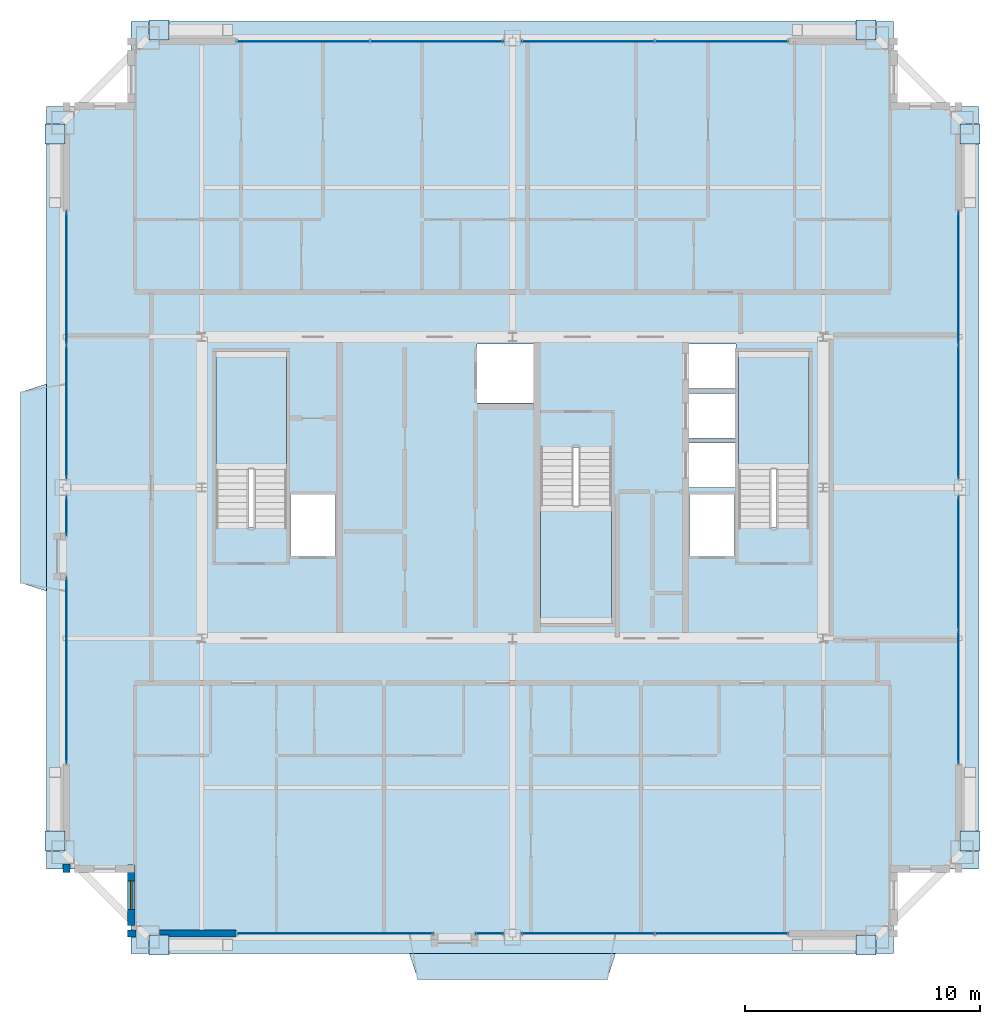
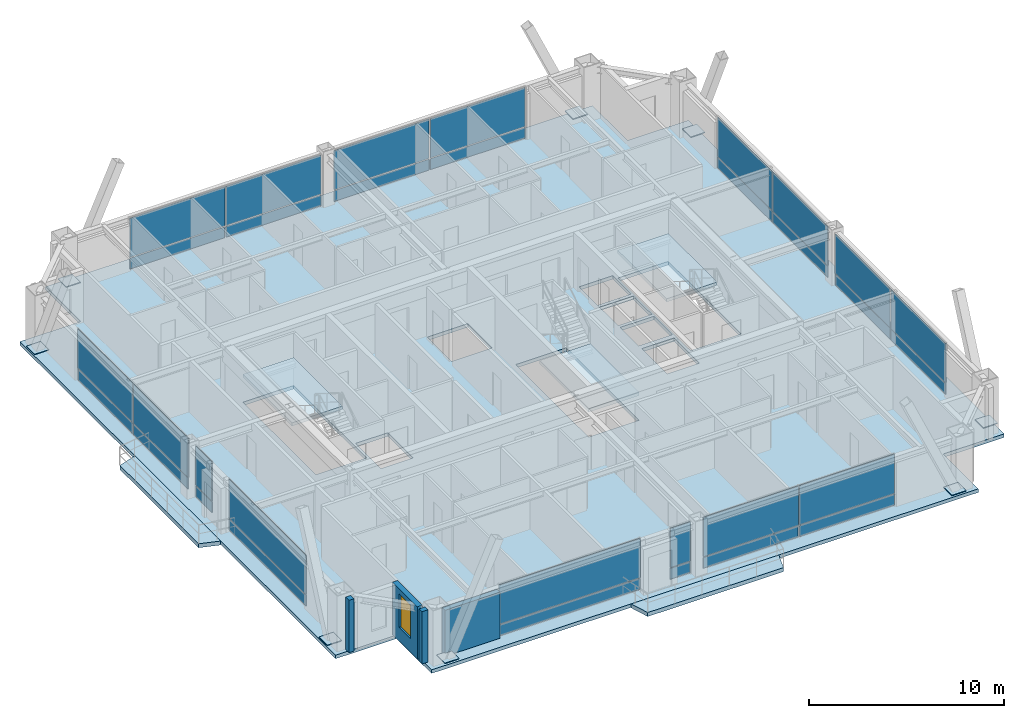
# One storey, part 27 of 33: 40 plates, 6 slabs, 4 walls, 1 window, 1 opening, 13 elements without a shape of their own.
"""IFC4 building model written with IfcOpenShell, lengths in metres."""

from ifc_helpers import new_model, si_unit, direction, frame, frame_2d, origin, origin_2d, place, context, subcontext, project, spatial, polyline, rectangle, outline, extrude, source, transform, mapped, material, layer, layer_set, type_object, element, fill, aggregate, save


model = new_model("IFC4")

# Units and contexts
model_context = context("Model", 3, precision=1e-05, world=origin(), true_north=direction((0.0, 1.0)))
body_context = subcontext(model_context, "Body", "Model", "MODEL_VIEW")
ifc_project = project(units=[si_unit("LENGTHUNIT", "METRE"), si_unit("AREAUNIT", "SQUARE_METRE"), si_unit("VOLUMEUNIT", "CUBIC_METRE"), si_unit("PLANEANGLEUNIT", "RADIAN"), si_unit("MASSUNIT", "GRAM", prefix="KILO"), si_unit("THERMODYNAMICTEMPERATUREUNIT", "KELVIN"), si_unit("POWERUNIT", "WATT")], contexts=[model_context])

# Site, building, storey
site_placement = place(None, origin())
site = spatial("IfcSite", under=ifc_project, at=site_placement, CompositionType="ELEMENT")
building_placement = place(site_placement, origin())
building = spatial("IfcBuilding", under=site, at=building_placement, Name="Yuzanri Waterfront Tower", CompositionType="ELEMENT")
storey_placement = place(building_placement, frame((0.0, 0.0, 292.60009765625)))
storey = spatial("IfcBuildingStorey", under=building, at=storey_placement, Name="L78", CompositionType="ELEMENT", Elevation=292.60009765625)

# Stair, slab
ifc_material_1 = material(Name="Concrete C40", Category="concrete")
stair_type = type_object("IfcStairType", Name="Concrete C40 Core Dogleg Exit Stair", PredefinedType="HALF_TURN_STAIR", material=ifc_material_1)
stair_1_placement = place(storey_placement, origin())
stair_1 = element("IfcStair", 1, at=stair_1_placement, inside=storey, type_object=stair_type, Name="L78 Smoke-Proof Core Stair ST-01", PredefinedType="HALF_TURN_STAIR")
ifc_material_2 = material(Name="Concrete C40", Category="concrete")
ifc_layer_1 = layer(ifc_material_2, 0.179931640625)
ifc_layer_set_1 = layer_set([ifc_layer_1], Name="Concrete C40")
slab_type_1 = type_object("IfcSlabType", Name="Concrete C40 Stair Half-Landing Slab 180", PredefinedType="LANDING", material=ifc_layer_set_1)
slab_1_placement = place(storey_placement, frame((0.0, 0.0, 1.5498046875)))
slab_1 = element("IfcSlab", 2, at=slab_1_placement, type_object=slab_type_1, Name="ST-01 landing 1", PredefinedType="LANDING", context=body_context, shape_type="SweptSolid", body=[
    extrude(outline(polyline([(27.39990234375, 26.56005859375), (27.39990234375, 31.580078125), (24.39990234375, 31.580078125), (24.39990234375, 26.56005859375), (27.39990234375, 26.56005859375)])), origin(), (0.0, 0.0, 1.0), 0.2001953125),
])
aggregate(stair_1, [slab_1])

stair_2_placement = place(storey_placement, origin())
stair_2 = element("IfcStair", 3, at=stair_2_placement, inside=storey, type_object=stair_type, Name="L78 Smoke-Proof Core Stair ST-02", PredefinedType="HALF_TURN_STAIR")
slab_2_placement = place(storey_placement, frame((0.0, 0.0, 1.5498046875)))
slab_2 = element("IfcSlab", 4, at=slab_2_placement, type_object=slab_type_1, Name="ST-02 landing 1", PredefinedType="LANDING", context=body_context, shape_type="SweptSolid", body=[
    extrude(outline(polyline([(49.60009765625, 26.56005859375), (49.60009765625, 31.580078125), (46.60009765625, 31.580078125), (46.60009765625, 26.56005859375), (49.60009765625, 26.56005859375)])), origin(), (0.0, 0.0, 1.0), 0.2001953125),
])
aggregate(stair_2, [slab_2])

stair_3_placement = place(storey_placement, origin())
stair_3 = element("IfcStair", 5, at=stair_3_placement, inside=storey, type_object=stair_type, Name="L78 Smoke-Proof Core Stair ST-03", PredefinedType="HALF_TURN_STAIR")
slab_3_placement = place(storey_placement, frame((0.0, 0.0, 1.5498046875)))
slab_3 = element("IfcSlab", 6, at=slab_3_placement, type_object=slab_type_1, Name="ST-03 landing 1", PredefinedType="LANDING", context=body_context, shape_type="SweptSolid", body=[
    extrude(outline(polyline([(38.199951171875, 25.0400390625), (38.199951171875, 20.02001953125), (41.199951171875, 20.02001953125), (41.199951171875, 25.0400390625), (38.199951171875, 25.0400390625)])), origin(), (0.0, 0.0, 1.0), 0.2001953125),
])
aggregate(stair_3, [slab_3])

# Slabs
ifc_material_3 = material(Name="Concrete C40", Category="concrete")
ifc_layer_2 = layer(ifc_material_3, 0.25)
ifc_layer_set_2 = layer_set([ifc_layer_2], Name="Concrete C40")
slab_type_2 = type_object("IfcSlabType", Name="Concrete C40 Stepped Gorge Pocket Garden Terrace Slab 250", PredefinedType="FLOOR", material=ifc_layer_set_2)
slab_4_placement = place(storey_placement, frame((0.0, 0.0, -0.25)))
element("IfcSlab", 7, at=slab_4_placement, inside=storey, type_object=slab_type_2, Name="L78 S Cantilevered Engawa Terrace Slab", PredefinedType="FLOOR", context=body_context, shape_type="SweptSolid", body=[
    extrude(outline(polyline([(32.62451171875, 6.0), (41.37548828125, 6.0), (41.025390625, 4.89892578125), (32.974609375, 4.89892578125), (32.62451171875, 6.0)])), origin(), (0.0, 0.0, 1.0), 0.25),
])
slab_5_placement = place(storey_placement, frame((0.0, 0.0, -0.25)))
element("IfcSlab", 8, at=slab_5_placement, inside=storey, type_object=slab_type_2, Name="L78 W Cantilevered Engawa Terrace Slab", PredefinedType="FLOOR", context=body_context, shape_type="SweptSolid", body=[
    extrude(outline(polyline([(17.199951171875, 21.39990234375), (16.09912109375, 21.75), (16.09912109375, 29.85009765625), (17.199951171875, 30.199951171875), (17.199951171875, 21.39990234375)])), origin(), (0.0, 0.0, 1.0), 0.25),
])
ifc_material_4 = material(Name="Concrete C40", Category="concrete")
ifc_layer_3 = layer(ifc_material_4, 0.219970703125)
ifc_layer_set_3 = layer_set([ifc_layer_3], Name="Concrete C40")
slab_type_3 = type_object("IfcSlabType", Name="Concrete C40 Tower Typical Structural Floor Slab 220", PredefinedType="FLOOR", material=ifc_layer_set_3)
slab_6_placement = place(storey_placement, frame((0.0, 0.0, -0.22021484375)))
element("IfcSlab", 9, at=slab_6_placement, inside=storey, type_object=slab_type_3, Name="L78 Main Structural Floor Slab", PredefinedType="FLOOR", context=body_context, shape_type="SweptSolid", body=[
    extrude(outline(polyline([(20.800048828125, 6.0), (53.199951171875, 6.0), (53.199951171875, 9.60009765625), (56.800048828125, 9.60009765625), (56.800048828125, 42.0), (53.199951171875, 42.0), (53.199951171875, 45.60009765625), (20.800048828125, 45.60009765625), (20.800048828125, 42.0), (17.199951171875, 42.0), (17.199951171875, 9.60009765625), (20.800048828125, 9.60009765625), (20.800048828125, 6.0)]), holes=[polyline([(27.39990234375, 24.10009765625), (27.39990234375, 31.580078125), (24.39990234375, 31.580078125), (24.39990234375, 24.10009765625), (27.39990234375, 24.10009765625)]), polyline([(49.60009765625, 24.10009765625), (49.60009765625, 31.580078125), (46.60009765625, 31.580078125), (46.60009765625, 24.10009765625), (49.60009765625, 24.10009765625)]), polyline([(38.199951171875, 27.5), (38.199951171875, 20.02001953125), (41.199951171875, 20.02001953125), (41.199951171875, 27.5), (38.199951171875, 27.5)]), polyline([(27.56005859375, 22.89990234375), (29.47998046875, 22.89990234375), (29.47998046875, 25.5), (27.56005859375, 25.5), (27.56005859375, 22.89990234375)]), polyline([(44.52001953125, 22.89990234375), (46.43994140625, 22.89990234375), (46.43994140625, 25.5), (44.52001953125, 25.5), (44.52001953125, 22.89990234375)]), polyline([(35.5, 29.39990234375), (37.89990234375, 29.39990234375), (37.89990234375, 31.89990234375), (35.5, 31.89990234375), (35.5, 29.39990234375)]), polyline([(44.5, 25.800048828125), (46.5, 25.800048828125), (46.5, 27.699951171875), (44.5, 27.699951171875), (44.5, 25.800048828125)]), polyline([(44.5, 27.89990234375), (46.5, 27.89990234375), (46.5, 29.800048828125), (44.5, 29.800048828125), (44.5, 27.89990234375)]), polyline([(44.5, 30.0), (46.5, 30.0), (46.5, 31.89990234375), (44.5, 31.89990234375), (44.5, 30.0)])]), origin(), (0.0, 0.0, 1.0), 0.22021484375),
])

# Plates
ifc_material_5 = material(Name="Steel Q420GJC", Category="steel")
ifc_layer_4 = layer(ifc_material_5, 0.0400390625)
ifc_layer_set_4 = layer_set([ifc_layer_4], Name="Steel Q420GJC")
plate_type_1 = type_object("IfcPlateType", Name="Steel Q420GJC Mega-Brace Gusset and End-Cap Plate 40", PredefinedType="SHEET", material=ifc_layer_set_4)
shared_shape_1 = source(origin(), body_context, "Body", "SweptSolid", [
    extrude(rectangle(XDim=0.85009765625, YDim=0.85009765625, at=origin_2d()), origin(), (0.0, 0.0, 1.0), 0.0400390625),
])
for number, where, z_axis, x_axis, name in (
    (10, (21.97998046875, 6.360107421875, 0.159912109375), (0.0, 0.0, 1.0), (1.0, 0.0, 0.0), "L78 Mega-Brace Foot Cap Plate S-L"),
    (11, (52.02001953125, 6.360107421875, 0.159912109375), (0.0, 0.0, 1.0), (1.0, 0.0, 0.0), "L78 Mega-Brace Foot Cap Plate S-R"),
    (12, (21.97998046875, 45.239990234375, 0.159912109375), (0.0, 0.0, 1.0), (1.0, 0.0, 0.0), "L78 Mega-Brace Foot Cap Plate N-L"),
    (13, (52.02001953125, 45.239990234375, 0.159912109375), (0.0, 0.0, 1.0), (1.0, 0.0, 0.0), "L78 Mega-Brace Foot Cap Plate N-R"),
    (14, (17.56005859375, 10.780029296875, 0.159912109375), (0.0, 0.0, 1.0), (1.0, 0.0, 0.0), "L78 Mega-Brace Foot Cap Plate W-L"),
    (15, (17.56005859375, 40.820068359375, 0.159912109375), (0.0, 0.0, 1.0), (1.0, 0.0, 0.0), "L78 Mega-Brace Foot Cap Plate W-R"),
    (16, (56.43994140625, 10.780029296875, 0.159912109375), (0.0, 0.0, 1.0), (1.0, 0.0, 0.0), "L78 Mega-Brace Foot Cap Plate E-L"),
    (17, (56.43994140625, 40.820068359375, 0.159912109375), (0.0, 0.0, 1.0), (1.0, 0.0, 0.0), "L78 Mega-Brace Foot Cap Plate E-R"),
):
    element("IfcPlate", number, at=place(storey_placement, frame(where, z_axis=z_axis, x_axis=x_axis)), inside=storey, type_object=plate_type_1, Name=name, PredefinedType="SHEET", context=body_context, shape_type="MappedRepresentation", body=[
        mapped(shared_shape_1, transform((0.0, 0.0, 0.0), scale=1.0)),
    ])

# Curtain wall, plates
ifc_material_6 = material(Name="Anodized Architectural Bronze", Category="metal")
ifc_layer_5 = layer(ifc_material_6, 0.159912109375)
ifc_layer_set_5 = layer_set([ifc_layer_5], Name="Anodized Architectural Bronze")
curtain_wall_type = type_object("IfcCurtainWallType", Name="Anodized Bronze High-Rise Penthouse High-Wind Unitized Curtain Wall 6900", PredefinedType="NOTDEFINED", material=ifc_layer_set_5)
curtain_wall_1_placement = place(storey_placement, origin())
curtain_wall_1 = element("IfcCurtainWall", 18, at=curtain_wall_1_placement, inside=storey, type_object=curtain_wall_type, Name="L78 Curtain Wall CW-L78-SR", PredefinedType="NOTDEFINED")
ifc_material_7 = material(Name="Anodized Architectural Bronze", Category="metal")
ifc_layer_6 = layer(ifc_material_7, 0.028076171875)
ifc_layer_set_6 = layer_set([ifc_layer_6], Name="Anodized Architectural Bronze")
plate_type_2 = type_object("IfcPlateType", Name="Bronze Insulated Spandrel Shadow-Box Panel 28", PredefinedType="CURTAIN_PANEL", material=ifc_layer_set_6)
shared_shape_2 = source(origin(), body_context, "Body", "SweptSolid", [
    extrude(rectangle(XDim=5.6201171875, YDim=0.028076171875, at=origin_2d()), origin(), (0.0, 0.0, 1.0), 0.674072265625),
])
plate_1_placement = place(storey_placement, frame((40.199951171875, 6.85009765625, 0.0498046875), z_axis=(0.0, 0.0, 1.0), x_axis=(1.0, 0.0, 0.0)))
plate_1 = element("IfcPlate", 19, at=plate_1_placement, type_object=plate_type_2, Name="CW-L78-SR Spandrel Panel 01", PredefinedType="CURTAIN_PANEL", context=body_context, shape_type="MappedRepresentation", body=[
    mapped(shared_shape_2, transform((0.0, 0.0, 0.0), scale=1.0)),
])
plate_2_placement = place(storey_placement, frame((45.89990234375, 6.85009765625, 0.0498046875), z_axis=(0.0, 0.0, 1.0), x_axis=(1.0, 0.0, 0.0)))
plate_2 = element("IfcPlate", 20, at=plate_2_placement, type_object=plate_type_2, Name="CW-L78-SR Spandrel Panel 02", PredefinedType="CURTAIN_PANEL", context=body_context, shape_type="MappedRepresentation", body=[
    mapped(shared_shape_2, transform((0.0, 0.0, 0.0), scale=1.0)),
])

curtain_wall_2_placement = place(storey_placement, origin())
curtain_wall_2 = element("IfcCurtainWall", 21, at=curtain_wall_2_placement, inside=storey, type_object=curtain_wall_type, Name="L78 Curtain Wall CW-L78-NL", PredefinedType="NOTDEFINED")
plate_3_placement = place(storey_placement, frame((28.10009765625, 44.75, 0.0498046875), z_axis=(0.0, 0.0, 1.0), x_axis=(1.0, 0.0, 0.0)))
plate_3 = element("IfcPlate", 22, at=plate_3_placement, type_object=plate_type_2, Name="CW-L78-NL Spandrel Panel 01", PredefinedType="CURTAIN_PANEL", context=body_context, shape_type="MappedRepresentation", body=[
    mapped(shared_shape_2, transform((0.0, 0.0, 0.0), scale=1.0)),
])
plate_4_placement = place(storey_placement, frame((33.800048828125, 44.75, 0.0498046875), z_axis=(0.0, 0.0, 1.0), x_axis=(1.0, 0.0, 0.0)))
plate_4 = element("IfcPlate", 23, at=plate_4_placement, type_object=plate_type_2, Name="CW-L78-NL Spandrel Panel 02", PredefinedType="CURTAIN_PANEL", context=body_context, shape_type="MappedRepresentation", body=[
    mapped(shared_shape_2, transform((0.0, 0.0, 0.0), scale=1.0)),
])

curtain_wall_3_placement = place(storey_placement, origin())
curtain_wall_3 = element("IfcCurtainWall", 24, at=curtain_wall_3_placement, inside=storey, type_object=curtain_wall_type, Name="L78 Curtain Wall CW-L78-NR", PredefinedType="NOTDEFINED")
plate_5_placement = place(storey_placement, frame((40.199951171875, 44.75, 0.0498046875), z_axis=(0.0, 0.0, 1.0), x_axis=(1.0, 0.0, 0.0)))
plate_5 = element("IfcPlate", 25, at=plate_5_placement, type_object=plate_type_2, Name="CW-L78-NR Spandrel Panel 01", PredefinedType="CURTAIN_PANEL", context=body_context, shape_type="MappedRepresentation", body=[
    mapped(shared_shape_2, transform((0.0, 0.0, 0.0), scale=1.0)),
])
plate_6_placement = place(storey_placement, frame((45.89990234375, 44.75, 0.0498046875), z_axis=(0.0, 0.0, 1.0), x_axis=(1.0, 0.0, 0.0)))
plate_6 = element("IfcPlate", 26, at=plate_6_placement, type_object=plate_type_2, Name="CW-L78-NR Spandrel Panel 02", PredefinedType="CURTAIN_PANEL", context=body_context, shape_type="MappedRepresentation", body=[
    mapped(shared_shape_2, transform((0.0, 0.0, 0.0), scale=1.0)),
])

curtain_wall_4_placement = place(storey_placement, origin())
curtain_wall_4 = element("IfcCurtainWall", 27, at=curtain_wall_4_placement, inside=storey, type_object=curtain_wall_type, Name="L78 Curtain Wall CW-L78-WR", PredefinedType="NOTDEFINED")
plate_7_placement = place(storey_placement, frame((18.050048828125, 29.0, 0.0498046875), z_axis=(0.0, 0.0, 1.0), x_axis=(0.0, 1.0, 0.0)))
plate_7 = element("IfcPlate", 28, at=plate_7_placement, type_object=plate_type_2, Name="CW-L78-WR Spandrel Panel 01", PredefinedType="CURTAIN_PANEL", context=body_context, shape_type="MappedRepresentation", body=[
    mapped(shared_shape_2, transform((0.0, 0.0, 0.0), scale=1.0)),
])
plate_8_placement = place(storey_placement, frame((18.050048828125, 34.699951171875, 0.0498046875), z_axis=(0.0, 0.0, 1.0), x_axis=(0.0, 1.0, 0.0)))
plate_8 = element("IfcPlate", 29, at=plate_8_placement, type_object=plate_type_2, Name="CW-L78-WR Spandrel Panel 02", PredefinedType="CURTAIN_PANEL", context=body_context, shape_type="MappedRepresentation", body=[
    mapped(shared_shape_2, transform((0.0, 0.0, 0.0), scale=1.0)),
])

curtain_wall_5_placement = place(storey_placement, origin())
curtain_wall_5 = element("IfcCurtainWall", 30, at=curtain_wall_5_placement, inside=storey, type_object=curtain_wall_type, Name="L78 Curtain Wall CW-L78-EL", PredefinedType="NOTDEFINED")
plate_9_placement = place(storey_placement, frame((55.949951171875, 16.89990234375, 0.0498046875), z_axis=(0.0, 0.0, 1.0), x_axis=(0.0, 1.0, 0.0)))
plate_9 = element("IfcPlate", 31, at=plate_9_placement, type_object=plate_type_2, Name="CW-L78-EL Spandrel Panel 01", PredefinedType="CURTAIN_PANEL", context=body_context, shape_type="MappedRepresentation", body=[
    mapped(shared_shape_2, transform((0.0, 0.0, 0.0), scale=1.0)),
])
plate_10_placement = place(storey_placement, frame((55.949951171875, 22.60009765625, 0.0498046875), z_axis=(0.0, 0.0, 1.0), x_axis=(0.0, 1.0, 0.0)))
plate_10 = element("IfcPlate", 32, at=plate_10_placement, type_object=plate_type_2, Name="CW-L78-EL Spandrel Panel 02", PredefinedType="CURTAIN_PANEL", context=body_context, shape_type="MappedRepresentation", body=[
    mapped(shared_shape_2, transform((0.0, 0.0, 0.0), scale=1.0)),
])

curtain_wall_6_placement = place(storey_placement, origin())
curtain_wall_6 = element("IfcCurtainWall", 33, at=curtain_wall_6_placement, inside=storey, type_object=curtain_wall_type, Name="L78 Curtain Wall CW-L78-ER", PredefinedType="NOTDEFINED")
plate_11_placement = place(storey_placement, frame((55.949951171875, 29.0, 0.0498046875), z_axis=(0.0, 0.0, 1.0), x_axis=(0.0, 1.0, 0.0)))
plate_11 = element("IfcPlate", 34, at=plate_11_placement, type_object=plate_type_2, Name="CW-L78-ER Spandrel Panel 01", PredefinedType="CURTAIN_PANEL", context=body_context, shape_type="MappedRepresentation", body=[
    mapped(shared_shape_2, transform((0.0, 0.0, 0.0), scale=1.0)),
])
plate_12_placement = place(storey_placement, frame((55.949951171875, 34.699951171875, 0.0498046875), z_axis=(0.0, 0.0, 1.0), x_axis=(0.0, 1.0, 0.0)))
plate_12 = element("IfcPlate", 35, at=plate_12_placement, type_object=plate_type_2, Name="CW-L78-ER Spandrel Panel 02", PredefinedType="CURTAIN_PANEL", context=body_context, shape_type="MappedRepresentation", body=[
    mapped(shared_shape_2, transform((0.0, 0.0, 0.0), scale=1.0)),
])

# Plate
ifc_material_8 = material(Name="Triple Low-E Laminated Insulated Glass", Category="glass")
ifc_layer_7 = layer(ifc_material_8, 0.0439453125)
ifc_layer_set_7 = layer_set([ifc_layer_7], Name="Triple Low-E Laminated Insulated Glass")
plate_type_3 = type_object("IfcPlateType", Name="Triple Glazed Acoustic Vision Glass Panel 44", PredefinedType="CURTAIN_PANEL", material=ifc_layer_set_7)
shared_shape_3 = source(origin(), body_context, "Body", "SweptSolid", [
    extrude(rectangle(XDim=5.6201171875, YDim=0.0439453125, at=origin_2d()), origin(), (0.0, 0.0, 1.0), 2.446044921875),
])
plate_13_placement = place(storey_placement, frame((40.199951171875, 6.85009765625, 0.78369140625), z_axis=(0.0, 0.0, 1.0), x_axis=(1.0, 0.0, 0.0)))
plate_13 = element("IfcPlate", 36, at=plate_13_placement, type_object=plate_type_3, Name="CW-L78-SR Vision Glass Panel 01", PredefinedType="CURTAIN_PANEL", context=body_context, shape_type="MappedRepresentation", body=[
    mapped(shared_shape_3, transform((0.0, 0.0, 0.0), scale=1.0)),
])

plate_14_placement = place(storey_placement, frame((45.89990234375, 6.85009765625, 0.78369140625), z_axis=(0.0, 0.0, 1.0), x_axis=(1.0, 0.0, 0.0)))
plate_14 = element("IfcPlate", 37, at=plate_14_placement, type_object=plate_type_3, Name="CW-L78-SR Vision Glass Panel 02", PredefinedType="CURTAIN_PANEL", context=body_context, shape_type="MappedRepresentation", body=[
    mapped(shared_shape_3, transform((0.0, 0.0, 0.0), scale=1.0)),
])

aggregate(curtain_wall_1, [plate_1, plate_13, plate_2, plate_14])

plate_15_placement = place(storey_placement, frame((28.10009765625, 44.75, 0.78369140625), z_axis=(0.0, 0.0, 1.0), x_axis=(1.0, 0.0, 0.0)))
plate_15 = element("IfcPlate", 38, at=plate_15_placement, type_object=plate_type_3, Name="CW-L78-NL Vision Glass Panel 01", PredefinedType="CURTAIN_PANEL", context=body_context, shape_type="MappedRepresentation", body=[
    mapped(shared_shape_3, transform((0.0, 0.0, 0.0), scale=1.0)),
])

plate_16_placement = place(storey_placement, frame((33.800048828125, 44.75, 0.78369140625), z_axis=(0.0, 0.0, 1.0), x_axis=(1.0, 0.0, 0.0)))
plate_16 = element("IfcPlate", 39, at=plate_16_placement, type_object=plate_type_3, Name="CW-L78-NL Vision Glass Panel 02", PredefinedType="CURTAIN_PANEL", context=body_context, shape_type="MappedRepresentation", body=[
    mapped(shared_shape_3, transform((0.0, 0.0, 0.0), scale=1.0)),
])

aggregate(curtain_wall_2, [plate_3, plate_15, plate_4, plate_16])

plate_17_placement = place(storey_placement, frame((40.199951171875, 44.75, 0.78369140625), z_axis=(0.0, 0.0, 1.0), x_axis=(1.0, 0.0, 0.0)))
plate_17 = element("IfcPlate", 40, at=plate_17_placement, type_object=plate_type_3, Name="CW-L78-NR Vision Glass Panel 01", PredefinedType="CURTAIN_PANEL", context=body_context, shape_type="MappedRepresentation", body=[
    mapped(shared_shape_3, transform((0.0, 0.0, 0.0), scale=1.0)),
])

plate_18_placement = place(storey_placement, frame((45.89990234375, 44.75, 0.78369140625), z_axis=(0.0, 0.0, 1.0), x_axis=(1.0, 0.0, 0.0)))
plate_18 = element("IfcPlate", 41, at=plate_18_placement, type_object=plate_type_3, Name="CW-L78-NR Vision Glass Panel 02", PredefinedType="CURTAIN_PANEL", context=body_context, shape_type="MappedRepresentation", body=[
    mapped(shared_shape_3, transform((0.0, 0.0, 0.0), scale=1.0)),
])

aggregate(curtain_wall_3, [plate_5, plate_17, plate_6, plate_18])

plate_19_placement = place(storey_placement, frame((18.050048828125, 29.0, 0.78369140625), z_axis=(0.0, 0.0, 1.0), x_axis=(0.0, 1.0, 0.0)))
plate_19 = element("IfcPlate", 42, at=plate_19_placement, type_object=plate_type_3, Name="CW-L78-WR Vision Glass Panel 01", PredefinedType="CURTAIN_PANEL", context=body_context, shape_type="MappedRepresentation", body=[
    mapped(shared_shape_3, transform((0.0, 0.0, 0.0), scale=1.0)),
])

plate_20_placement = place(storey_placement, frame((18.050048828125, 34.699951171875, 0.78369140625), z_axis=(0.0, 0.0, 1.0), x_axis=(0.0, 1.0, 0.0)))
plate_20 = element("IfcPlate", 43, at=plate_20_placement, type_object=plate_type_3, Name="CW-L78-WR Vision Glass Panel 02", PredefinedType="CURTAIN_PANEL", context=body_context, shape_type="MappedRepresentation", body=[
    mapped(shared_shape_3, transform((0.0, 0.0, 0.0), scale=1.0)),
])

aggregate(curtain_wall_4, [plate_7, plate_19, plate_8, plate_20])

plate_21_placement = place(storey_placement, frame((55.949951171875, 16.89990234375, 0.78369140625), z_axis=(0.0, 0.0, 1.0), x_axis=(0.0, 1.0, 0.0)))
plate_21 = element("IfcPlate", 44, at=plate_21_placement, type_object=plate_type_3, Name="CW-L78-EL Vision Glass Panel 01", PredefinedType="CURTAIN_PANEL", context=body_context, shape_type="MappedRepresentation", body=[
    mapped(shared_shape_3, transform((0.0, 0.0, 0.0), scale=1.0)),
])

plate_22_placement = place(storey_placement, frame((55.949951171875, 22.60009765625, 0.78369140625), z_axis=(0.0, 0.0, 1.0), x_axis=(0.0, 1.0, 0.0)))
plate_22 = element("IfcPlate", 45, at=plate_22_placement, type_object=plate_type_3, Name="CW-L78-EL Vision Glass Panel 02", PredefinedType="CURTAIN_PANEL", context=body_context, shape_type="MappedRepresentation", body=[
    mapped(shared_shape_3, transform((0.0, 0.0, 0.0), scale=1.0)),
])

aggregate(curtain_wall_5, [plate_9, plate_21, plate_10, plate_22])

plate_23_placement = place(storey_placement, frame((55.949951171875, 29.0, 0.78369140625), z_axis=(0.0, 0.0, 1.0), x_axis=(0.0, 1.0, 0.0)))
plate_23 = element("IfcPlate", 46, at=plate_23_placement, type_object=plate_type_3, Name="CW-L78-ER Vision Glass Panel 01", PredefinedType="CURTAIN_PANEL", context=body_context, shape_type="MappedRepresentation", body=[
    mapped(shared_shape_3, transform((0.0, 0.0, 0.0), scale=1.0)),
])

plate_24_placement = place(storey_placement, frame((55.949951171875, 34.699951171875, 0.78369140625), z_axis=(0.0, 0.0, 1.0), x_axis=(0.0, 1.0, 0.0)))
plate_24 = element("IfcPlate", 47, at=plate_24_placement, type_object=plate_type_3, Name="CW-L78-ER Vision Glass Panel 02", PredefinedType="CURTAIN_PANEL", context=body_context, shape_type="MappedRepresentation", body=[
    mapped(shared_shape_3, transform((0.0, 0.0, 0.0), scale=1.0)),
])

aggregate(curtain_wall_6, [plate_11, plate_23, plate_12, plate_24])

# Curtain wall, plates
curtain_wall_7_placement = place(storey_placement, origin())
curtain_wall_7 = element("IfcCurtainWall", 48, at=curtain_wall_7_placement, inside=storey, type_object=curtain_wall_type, Name="L78 Curtain Wall CW-L78-SL1", PredefinedType="NOTDEFINED")
shared_shape_4 = source(origin(), body_context, "Body", "SweptSolid", [
    extrude(rectangle(XDim=8.35693359375, YDim=0.028076171875, at=origin_2d()), origin(), (0.0, 0.0, 1.0), 0.674072265625),
])
plate_25_placement = place(storey_placement, frame((29.468505859375, 6.85009765625, 0.0498046875), z_axis=(0.0, 0.0, 1.0), x_axis=(1.0, 0.0, 0.0)))
plate_25 = element("IfcPlate", 49, at=plate_25_placement, type_object=plate_type_2, Name="CW-L78-SL1 Spandrel Panel 01", PredefinedType="CURTAIN_PANEL", context=body_context, shape_type="MappedRepresentation", body=[
    mapped(shared_shape_4, transform((0.0, 0.0, 0.0), scale=1.0)),
])
shared_shape_5 = source(origin(), body_context, "Body", "SweptSolid", [
    extrude(rectangle(XDim=8.35693359375, YDim=0.0439453125, at=origin_2d()), origin(), (0.0, 0.0, 1.0), 2.446044921875),
])
plate_26_placement = place(storey_placement, frame((29.468505859375, 6.85009765625, 0.78369140625), z_axis=(0.0, 0.0, 1.0), x_axis=(1.0, 0.0, 0.0)))
plate_26 = element("IfcPlate", 50, at=plate_26_placement, type_object=plate_type_3, Name="CW-L78-SL1 Vision Glass Panel 01", PredefinedType="CURTAIN_PANEL", context=body_context, shape_type="MappedRepresentation", body=[
    mapped(shared_shape_5, transform((0.0, 0.0, 0.0), scale=1.0)),
])
aggregate(curtain_wall_7, [plate_25, plate_26])

curtain_wall_8_placement = place(storey_placement, origin())
curtain_wall_8 = element("IfcCurtainWall", 51, at=curtain_wall_8_placement, inside=storey, type_object=curtain_wall_type, Name="L78 Curtain Wall CW-L78-SL2", PredefinedType="NOTDEFINED")
shared_shape_6 = source(origin(), body_context, "Body", "SweptSolid", [
    extrude(rectangle(XDim=1.18310546875, YDim=0.028076171875, at=origin_2d()), origin(), (0.0, 0.0, 1.0), 0.674072265625),
])
plate_27_placement = place(storey_placement, frame((36.0185546875, 6.85009765625, 0.0498046875), z_axis=(0.0, 0.0, 1.0), x_axis=(1.0, 0.0, 0.0)))
plate_27 = element("IfcPlate", 52, at=plate_27_placement, type_object=plate_type_2, Name="CW-L78-SL2 Spandrel Panel 01", PredefinedType="CURTAIN_PANEL", context=body_context, shape_type="MappedRepresentation", body=[
    mapped(shared_shape_6, transform((0.0, 0.0, 0.0), scale=1.0)),
])
shared_shape_7 = source(origin(), body_context, "Body", "SweptSolid", [
    extrude(rectangle(XDim=1.18310546875, YDim=0.0439453125, at=origin_2d()), origin(), (0.0, 0.0, 1.0), 2.446044921875),
])
plate_28_placement = place(storey_placement, frame((36.0185546875, 6.85009765625, 0.78369140625), z_axis=(0.0, 0.0, 1.0), x_axis=(1.0, 0.0, 0.0)))
plate_28 = element("IfcPlate", 53, at=plate_28_placement, type_object=plate_type_3, Name="CW-L78-SL2 Vision Glass Panel 01", PredefinedType="CURTAIN_PANEL", context=body_context, shape_type="MappedRepresentation", body=[
    mapped(shared_shape_7, transform((0.0, 0.0, 0.0), scale=1.0)),
])
aggregate(curtain_wall_8, [plate_27, plate_28])

curtain_wall_9_placement = place(storey_placement, origin())
curtain_wall_9 = element("IfcCurtainWall", 54, at=curtain_wall_9_placement, inside=storey, type_object=curtain_wall_type, Name="L78 Curtain Wall CW-L78-WL1", PredefinedType="NOTDEFINED")
shared_shape_8 = source(origin(), body_context, "Body", "SweptSolid", [
    extrude(rectangle(XDim=7.89501953125, YDim=0.028076171875, at=origin_2d()), origin(), (0.0, 0.0, 1.0), 0.674072265625),
])
plate_29_placement = place(storey_placement, frame((18.050048828125, 18.03759765625, 0.0498046875), z_axis=(0.0, 0.0, 1.0), x_axis=(0.0, 1.0, 0.0)))
plate_29 = element("IfcPlate", 55, at=plate_29_placement, type_object=plate_type_2, Name="CW-L78-WL1 Spandrel Panel 01", PredefinedType="CURTAIN_PANEL", context=body_context, shape_type="MappedRepresentation", body=[
    mapped(shared_shape_8, transform((0.0, 0.0, 0.0), scale=1.0)),
])
shared_shape_9 = source(origin(), body_context, "Body", "SweptSolid", [
    extrude(rectangle(XDim=7.89501953125, YDim=0.0439453125, at=origin_2d()), origin(), (0.0, 0.0, 1.0), 2.446044921875),
])
plate_30_placement = place(storey_placement, frame((18.050048828125, 18.03759765625, 0.78369140625), z_axis=(0.0, 0.0, 1.0), x_axis=(0.0, 1.0, 0.0)))
plate_30 = element("IfcPlate", 56, at=plate_30_placement, type_object=plate_type_3, Name="CW-L78-WL1 Vision Glass Panel 01", PredefinedType="CURTAIN_PANEL", context=body_context, shape_type="MappedRepresentation", body=[
    mapped(shared_shape_9, transform((0.0, 0.0, 0.0), scale=1.0)),
])
aggregate(curtain_wall_9, [plate_29, plate_30])

curtain_wall_10_placement = place(storey_placement, origin())
curtain_wall_10 = element("IfcCurtainWall", 57, at=curtain_wall_10_placement, inside=storey, type_object=curtain_wall_type, Name="L78 Curtain Wall CW-L78-WL2", PredefinedType="NOTDEFINED")
shared_shape_10 = source(origin(), body_context, "Body", "SweptSolid", [
    extrude(rectangle(XDim=1.64501953125, YDim=0.028076171875, at=origin_2d()), origin(), (0.0, 0.0, 1.0), 0.674072265625),
])
plate_31_placement = place(storey_placement, frame((18.050048828125, 24.58740234375, 0.0498046875), z_axis=(0.0, 0.0, 1.0), x_axis=(0.0, 1.0, 0.0)))
plate_31 = element("IfcPlate", 58, at=plate_31_placement, type_object=plate_type_2, Name="CW-L78-WL2 Spandrel Panel 01", PredefinedType="CURTAIN_PANEL", context=body_context, shape_type="MappedRepresentation", body=[
    mapped(shared_shape_10, transform((0.0, 0.0, 0.0), scale=1.0)),
])
shared_shape_11 = source(origin(), body_context, "Body", "SweptSolid", [
    extrude(rectangle(XDim=1.64501953125, YDim=0.0439453125, at=origin_2d()), origin(), (0.0, 0.0, 1.0), 2.446044921875),
])
plate_32_placement = place(storey_placement, frame((18.050048828125, 24.58740234375, 0.78369140625), z_axis=(0.0, 0.0, 1.0), x_axis=(0.0, 1.0, 0.0)))
plate_32 = element("IfcPlate", 59, at=plate_32_placement, type_object=plate_type_3, Name="CW-L78-WL2 Vision Glass Panel 01", PredefinedType="CURTAIN_PANEL", context=body_context, shape_type="MappedRepresentation", body=[
    mapped(shared_shape_11, transform((0.0, 0.0, 0.0), scale=1.0)),
])
aggregate(curtain_wall_10, [plate_31, plate_32])

# Wall, opening, window
ifc_material_9 = material(Name="Honed Chongqing Dark Basalt Stone", Category="masonry")
ifc_layer_8 = layer(ifc_material_9, 0.300048828125)
ifc_layer_set_8 = layer_set([ifc_layer_8], Name="Honed Chongqing Dark Basalt Stone")
wall_type = type_object("IfcWallType", Name="Bronze Rainscreen Insulated Spandrel Portal Wall 300", PredefinedType="SOLIDWALL", material=ifc_layer_set_8)
wall_1_placement = place(storey_placement, frame((20.800048828125, 9.75, 0.0), z_axis=(0.0, 0.0, 1.0), x_axis=(0.0, -1.0, 0.0)))
wall_1 = element("IfcWall", 60, at=wall_1_placement, inside=storey, type_object=wall_type, Name="L78 Notched Corner Masonry Wall SW-Y", PredefinedType="SOLIDWALL", context=body_context, shape_type="SweptSolid", body=[
    extrude(rectangle(XDim=2.550048828125, YDim=0.300048828125, at=frame_2d((1.27490234375, 0.0))), origin(), (0.0, 0.0, 1.0), 3.27978515625),
])
opening_placement = place(wall_1_placement, frame((0.675048828125, 0.0, 0.85009765625)))
opening = element("IfcOpeningElement", 61, at=opening_placement, cuts=wall_1, Name="Opening WN-02", PredefinedType="OPENING", context=body_context, shape_type="SweptSolid", body=[
    extrude(rectangle(XDim=1.199951171875, YDim=2.10009765625, at=frame_2d((0.60009765625, 1.050048828125))), frame((0.0, 0.1650390625, 0.0), z_axis=(0.0, -1.0, 0.0), x_axis=(1.0, 0.0, 0.0)), (0.0, 0.0, 1.0), 0.329833984375),
])
ifc_material_10 = material(Name="Double-Silver Low-E Insulated Glass", Category="glass")
window_type = type_object("IfcWindowType", Name="Anodized Bronze Notched Corner Deep-Set Slot Window 1200x2100", PartitioningType="SINGLE_PANEL", PredefinedType="WINDOW", material=ifc_material_10)
shared_shape_12 = source(origin(), body_context, "Body", "SweptSolid", [
    extrude(rectangle(XDim=1.199951171875, YDim=2.10009765625, at=frame_2d((0.60009765625, 1.050048828125))), frame((0.0, 0.030029296875, 0.0), z_axis=(0.0, -1.0, 0.0), x_axis=(1.0, 0.0, 0.0)), (0.0, 0.0, 1.0), 0.06005859375),
])
window_placement = place(opening_placement, origin())
window = element("IfcWindow", 62, at=window_placement, inside=storey, type_object=window_type, Name="L78 Notched Corner Window SW-Y", OverallHeight=2.10009765625, OverallWidth=1.199951171875, PartitioningType="SINGLE_PANEL", PredefinedType="WINDOW", context=body_context, shape_type="MappedRepresentation", body=[
    mapped(shared_shape_12, transform((0.0, 0.0, 0.0), scale=1.0)),
])
fill(opening, window)

# Walls
shared_shape_13 = source(origin(), body_context, "Body", "SweptSolid", [
    extrude(rectangle(XDim=0.35009765625, YDim=0.300048828125, at=frame_2d((0.175048828125, 0.0))), origin(), (0.0, 0.0, 1.0), 3.27978515625),
])
for number, where, z_axis, x_axis, name in (
    (63, (20.64990234375, 6.85009765625, 0.0), (0.0, 0.0, 1.0), (1.0, 0.0, 0.0), "L78 Corner Column Shoulder Return CSW"),
    (64, (18.050048828125, 9.449951171875, 0.0), (0.0, 0.0, 1.0), (0.0, 1.0, 0.0), "L78 Corner Column Shoulder Return CWS"),
):
    element("IfcWall", number, at=place(storey_placement, frame(where, z_axis=z_axis, x_axis=x_axis)), inside=storey, type_object=wall_type, Name=name, PredefinedType="SOLIDWALL", context=body_context, shape_type="MappedRepresentation", body=[
        mapped(shared_shape_13, transform((0.0, 0.0, 0.0), scale=1.0)),
    ])
shared_shape_14 = source(origin(), body_context, "Body", "SweptSolid", [
    extrude(rectangle(XDim=3.25, YDim=0.300048828125, at=frame_2d((1.625, 0.0))), origin(), (0.0, 0.0, 1.0), 2.885009765625),
])
wall_2_placement = place(storey_placement, frame((22.0, 6.85009765625, 0.0), z_axis=(0.0, 0.0, 1.0), x_axis=(1.0, 0.0, 0.0)))
element("IfcWall", 65, at=wall_2_placement, inside=storey, type_object=wall_type, Name="L78 S Left Braced Masonry Shoulder", PredefinedType="SOLIDWALL", context=body_context, shape_type="MappedRepresentation", body=[
    mapped(shared_shape_14, transform((0.0, 0.0, 0.0), scale=1.0)),
])

save(model, "model.ifc")
